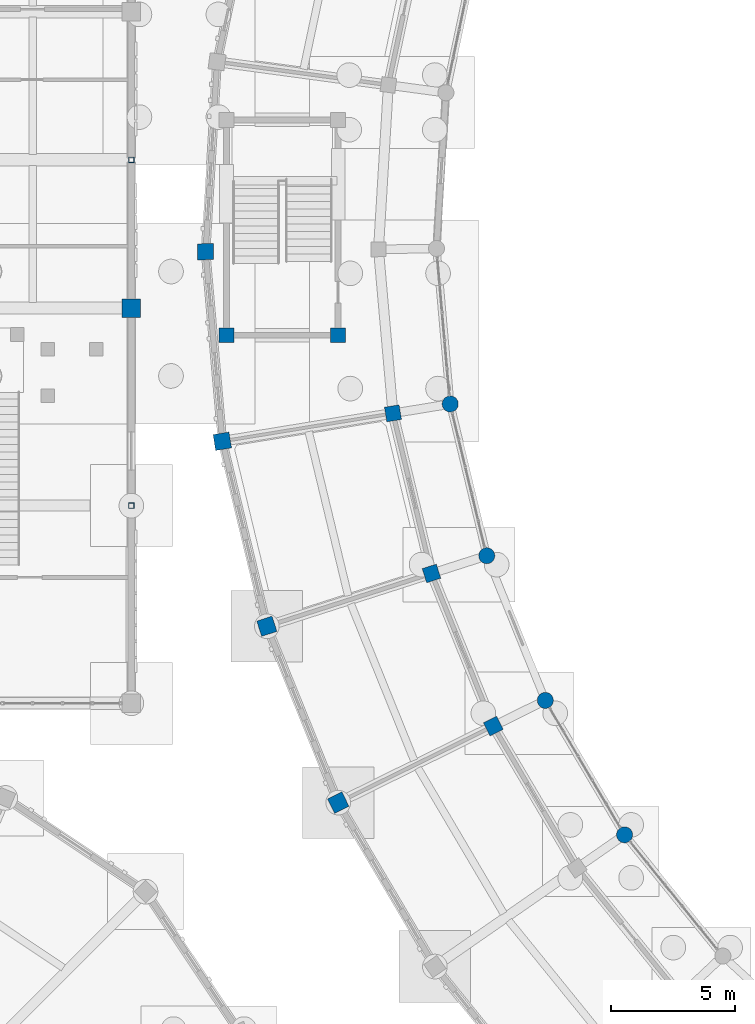
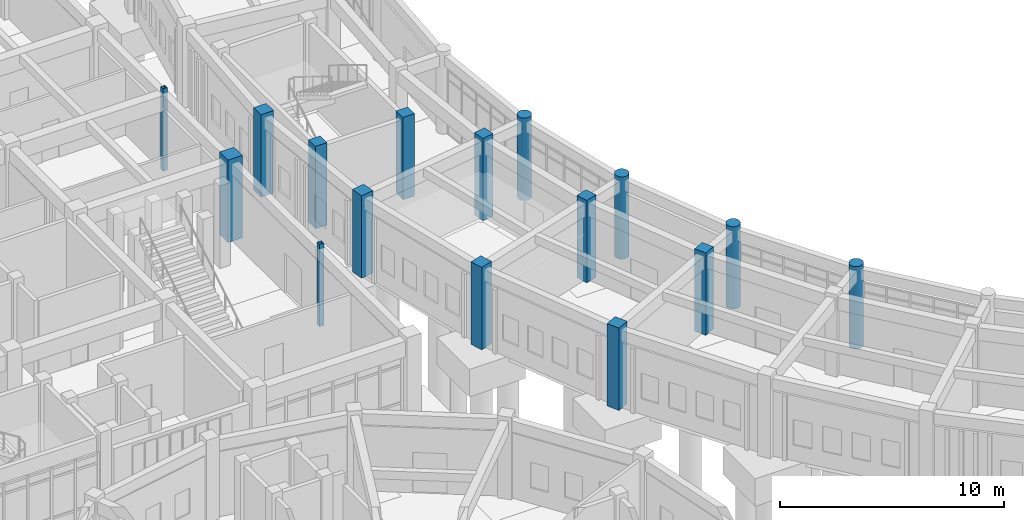
# One storey, part 10 of 153: 16 columns.
"""IFC4 building model written with IfcOpenShell, lengths in metres."""

from ifc_helpers import new_model, si_unit, direction, frame, origin, origin_2d, place, context, subcontext, project, spatial, rectangle, hollow_rectangle, circle, extrude, material, material_profile, profile_set, type_object, element, save


model = new_model("IFC4")

# Units and contexts
model_context = context("Model", 3, precision=1e-05, world=origin(), true_north=direction((0.0, 1.0)))
body_context = subcontext(model_context, "Body", "Model", "MODEL_VIEW")
ifc_project = project(units=[si_unit("LENGTHUNIT", "METRE"), si_unit("AREAUNIT", "SQUARE_METRE"), si_unit("VOLUMEUNIT", "CUBIC_METRE"), si_unit("PLANEANGLEUNIT", "RADIAN"), si_unit("MASSUNIT", "GRAM", prefix="KILO")], contexts=[model_context])

# Site, building, storey
site_placement = place(None, origin())
site = spatial("IfcSite", under=ifc_project, at=site_placement, CompositionType="ELEMENT")
building_placement = place(site_placement, origin())
building = spatial("IfcBuilding", under=site, at=building_placement, Name="Celadon Cloister-Ring School", CompositionType="ELEMENT")
storey_placement = place(building_placement, origin())
storey = spatial("IfcBuildingStorey", under=building, at=storey_placement, Name="L00", CompositionType="ELEMENT", Elevation=0.0)

# Columns
ifc_material_1 = material(Name="Concrete C40/50", Category="concrete")
ifc_material_profile_1 = material_profile(ifc_material_1, rectangle(XDim=0.75, YDim=0.75, at=origin_2d()), Name="RC750X750")
ifc_profile_set_1 = profile_set([ifc_material_profile_1], Name="Concrete C40/50")
column_type_1 = type_object("IfcColumnType", Name="CT-01", PredefinedType="COLUMN", material=ifc_profile_set_1)
column_placement = place(storey_placement, frame((32.0, 56.0, 0.0), z_axis=(0.0, 0.0, 1.0), x_axis=(1.0, 0.0, 0.0)))
element("IfcColumn", 1, at=column_placement, inside=storey, type_object=column_type_1, Name="Column 1158", PredefinedType="COLUMN", context=body_context, shape_type="SweptSolid", body=[
    extrude(rectangle(XDim=0.75, YDim=0.75, at=origin_2d()), origin(), (0.0, 0.0, 1.0), 4.5),
])
ifc_material_2 = material(Name="Concrete C40/50", Category="concrete")
ifc_material_profile_2 = material_profile(ifc_material_2, rectangle(XDim=0.60009765625, YDim=0.60009765625, at=origin_2d()), Name="RC600X600")
ifc_profile_set_2 = profile_set([ifc_material_profile_2], Name="Concrete C40/50")
column_type_2 = type_object("IfcColumnType", Name="CT-04", PredefinedType="COLUMN", material=ifc_profile_set_2)
for number, where, z_axis, x_axis, name in (
    (2, (35.85009765625, 54.89990234375, 0.0), (0.0, 0.0, 1.0), (1.0, 0.0, 0.0), "Column 0033"),
    (3, (40.3701171875, 54.89990234375, 0.0), (0.0, 0.0, 1.0), (1.0, 0.0, 0.0), "Column 0037"),
    (4, (42.590087890625, 51.737060546875, 0.0), (0.0, 0.0, 1.0), (-0.986889540988, -0.161397130983, 0.0), "Column 0428"),
    (5, (44.14990234375, 45.256103515625, 0.0), (0.0, 0.0, 1.0), (-0.95221472185, -0.305429408362, 0.0), "Column 0432"),
    (6, (46.65087890625, 39.075927734375, 0.0), (0.0, 0.0, 1.0), (-0.896641036785, -0.442758231039, 0.0), "Column 0436"),
):
    element("IfcColumn", number, at=place(storey_placement, frame(where, z_axis=z_axis, x_axis=x_axis)), inside=storey, type_object=column_type_2, Name=name, PredefinedType="COLUMN", context=body_context, shape_type="SweptSolid", body=[
        extrude(rectangle(XDim=0.60009765625, YDim=0.60009765625, at=origin_2d()), origin(), (0.0, 0.0, 1.0), 4.5),
    ])
ifc_material_3 = material(Name="Concrete C40/50", Category="concrete")
ifc_material_profile_3 = material_profile(ifc_material_3, rectangle(XDim=0.64990234375, YDim=0.64990234375, at=origin_2d()), Name="RC650X650")
ifc_profile_set_3 = profile_set([ifc_material_profile_3], Name="Concrete C40/50")
column_type_3 = type_object("IfcColumnType", Name="CT-22", PredefinedType="COLUMN", material=ifc_profile_set_3)
for number, where, z_axis, x_axis, name in (
    (7, (35.0048828125, 58.281005859375, 0.0), (0.0, 0.0, 1.0), (-0.999904463751, -0.013822567474, 0.0), "Column 0568"),
    (8, (35.681884765625, 50.60693359375, 0.0), (0.0, 0.0, 1.0), (-0.986889540988, -0.161397130983, 0.0), "Column 0572"),
    (9, (37.485107421875, 43.117919921875, 0.0), (0.0, 0.0, 1.0), (-0.95221472185, -0.305429408362, 0.0), "Column 0576"),
    (10, (40.375, 35.97705078125, 0.0), (0.0, 0.0, 1.0), (-0.896641036785, -0.442758231039, 0.0), "Column 0580"),
):
    element("IfcColumn", number, at=place(storey_placement, frame(where, z_axis=z_axis, x_axis=x_axis)), inside=storey, type_object=column_type_3, Name=name, PredefinedType="COLUMN", context=body_context, shape_type="SweptSolid", body=[
        extrude(rectangle(XDim=0.64990234375, YDim=0.64990234375, at=origin_2d()), origin(), (0.0, 0.0, 1.0), 4.5),
    ])
ifc_material_4 = material(Name="Concrete C40/50", Category="concrete")
ifc_material_profile_4 = material_profile(ifc_material_4, circle(Radius=0.324951171875, at=origin_2d()), Name="CIRC650")
ifc_profile_set_4 = profile_set([ifc_material_profile_4], Name="Concrete C40/50")
column_type_4 = type_object("IfcColumnType", Name="CT-25", PredefinedType="COLUMN", material=ifc_profile_set_4)
for number, where, z_axis, x_axis, name in (
    (11, (44.908935546875, 52.115966796875, 0.0), (0.0, 0.0, 1.0), (1.0, 0.0, 0.0), "Column 0340"),
    (12, (46.387939453125, 45.972900390625, 0.0), (0.0, 0.0, 1.0), (1.0, 0.0, 0.0), "Column 0342"),
    (13, (48.758056640625, 40.115966796875, 0.0), (0.0, 0.0, 1.0), (1.0, 0.0, 0.0), "Column 0344"),
    (14, (51.968017578125, 34.674072265625, 0.0), (0.0, 0.0, 1.0), (1.0, 0.0, 0.0), "Column 0346"),
):
    element("IfcColumn", number, at=place(storey_placement, frame(where, z_axis=z_axis, x_axis=x_axis)), inside=storey, type_object=column_type_4, Name=name, PredefinedType="COLUMN", context=body_context, shape_type="SweptSolid", body=[
        extrude(circle(Radius=0.324951171875, at=origin_2d()), origin(), (0.0, 0.0, 1.0), 4.5),
    ])
ifc_material_5 = material(Name="Structural steel S355JR", Category="steel")
ifc_material_profile_5 = material_profile(ifc_material_5, hollow_rectangle(XDim=0.219970703125, YDim=0.219970703125, WallThickness=0.010009765625, at=origin_2d()), Name="HSS220X220X10")
ifc_profile_set_5 = profile_set([ifc_material_profile_5], Name="Structural steel S355JR")
column_type_5 = type_object("IfcColumnType", Name="CT-26", PredefinedType="COLUMN", material=ifc_profile_set_5)
for number, where, z_axis, x_axis, name in (
    (15, (32.0, 48.0, 0.0), (0.0, 0.0, 1.0), (1.0, 0.0, 0.0), "Column 1153"),
    (16, (32.0, 62.0, 0.0), (0.0, 0.0, 1.0), (1.0, 0.0, 0.0), "Column 1163"),
):
    element("IfcColumn", number, at=place(storey_placement, frame(where, z_axis=z_axis, x_axis=x_axis)), inside=storey, type_object=column_type_5, Name=name, PredefinedType="COLUMN", context=body_context, shape_type="SweptSolid", body=[
        extrude(hollow_rectangle(XDim=0.219970703125, YDim=0.219970703125, WallThickness=0.010009765625, at=origin_2d()), origin(), (0.0, 0.0, 1.0), 4.5),
    ])

save(model, "model.ifc")
